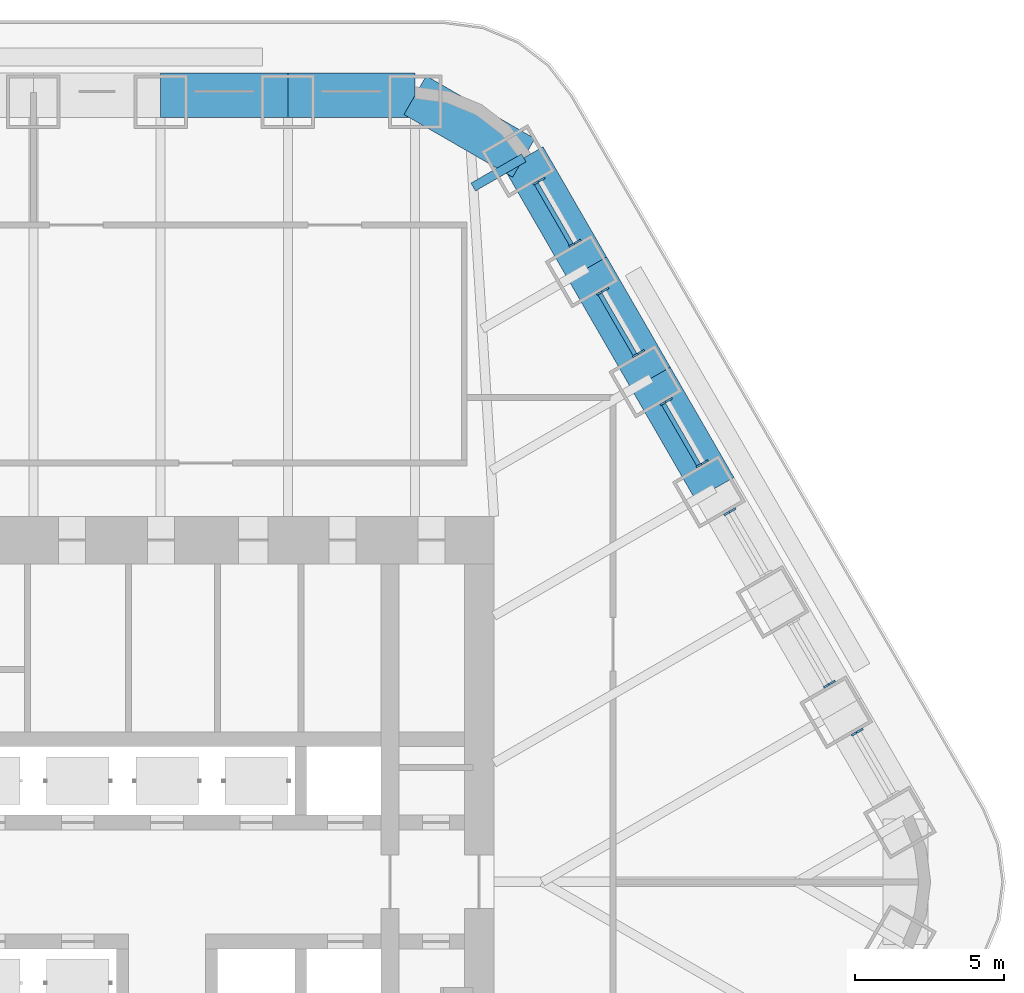
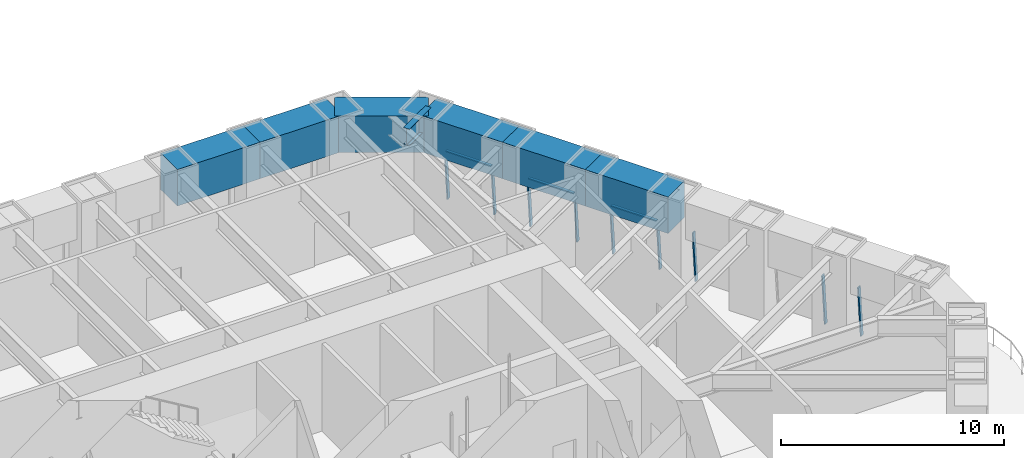
# One storey, part 5 of 14: 12 members, 7 beams, 6 elements without a shape of their own.
"""IFC4 building model written with IfcOpenShell, lengths in metres."""

from ifc_helpers import new_model, si_unit, direction, frame, origin, origin_2d, place, context, subcontext, project, spatial, rectangle, i_section, extrude, material, material_profile, profile_set, type_object, element, aggregate, save


model = new_model("IFC4")

# Units and contexts
model_context = context("Model", 3, precision=1e-05, world=origin(), true_north=direction((0.0, 1.0)))
body_context = subcontext(model_context, "Body", "Model", "MODEL_VIEW")
ifc_project = project(units=[si_unit("LENGTHUNIT", "METRE"), si_unit("AREAUNIT", "SQUARE_METRE"), si_unit("VOLUMEUNIT", "CUBIC_METRE"), si_unit("PLANEANGLEUNIT", "RADIAN"), si_unit("MASSUNIT", "GRAM", prefix="KILO")], contexts=[model_context])

# Site, building, storey
site_placement = place(None, origin())
site = spatial("IfcSite", under=ifc_project, at=site_placement, CompositionType="ELEMENT")
building_placement = place(site_placement, origin())
building = spatial("IfcBuilding", under=site, at=building_placement, Name="Tarfa Lantern Tower", CompositionType="ELEMENT")
storey_placement = place(building_placement, frame((0.0, 0.0, 306.5)))
storey = spatial("IfcBuildingStorey", under=building, at=storey_placement, Name="L69", CompositionType="ELEMENT", Elevation=306.5)

# Curtain wall, member
ifc_material_1 = material(Name="Aluminium framed curtain wall", Category="aluminium")
curtain_wall_type = type_object("IfcCurtainWallType", Name="CW5 CANTED GLAZING SKY LOBBY 2800", PredefinedType="USERDEFINED", material=ifc_material_1)
curtain_wall_1_placement = place(storey_placement, origin())
curtain_wall_1 = element("IfcCurtainWall", 1, at=curtain_wall_1_placement, inside=storey, type_object=curtain_wall_type, Name="CW5 NE L69", ObjectType="CURTAIN WALL", PredefinedType="USERDEFINED")
ifc_material_2 = material(Name="Aluminium mullion", Category="aluminium")
ifc_material_profile_1 = material_profile(ifc_material_2, rectangle(XDim=0.06494140625, YDim=0.199951171875, at=origin_2d()), Name="AL MULLION 65x200")
ifc_profile_set_1 = profile_set([ifc_material_profile_1], Name="Aluminium mullion")
member_type_1 = type_object("IfcMemberType", Name="CWM1 MULLION 65x200", PredefinedType="MULLION", material=ifc_profile_set_1)
member_1_placement = place(storey_placement, frame((27.827880859375, 5.100830078125, 0.0), z_axis=(-0.077032386753, -0.044465143199, 0.996036576854), x_axis=(0.499919672301, -0.866071776036, 0.0)))
member_1 = element("IfcMember", 2, at=member_1_placement, type_object=member_type_1, Name="CW5 mullion 2", PredefinedType="MULLION", context=body_context, shape_type="SweptSolid", body=[
    extrude(rectangle(XDim=0.06494140625, YDim=0.199951171875, at=origin_2d()), origin(), (0.0, 0.0, 1.0), 2.811279296875),
])
aggregate(curtain_wall_1, [member_1])

curtain_wall_2_placement = place(storey_placement, origin())
curtain_wall_2 = element("IfcCurtainWall", 3, at=curtain_wall_2_placement, inside=storey, type_object=curtain_wall_type, Name="CW5 NE L69", ObjectType="CURTAIN WALL", PredefinedType="USERDEFINED")
member_2_placement = place(storey_placement, frame((26.895263671875, 6.7158203125, 0.0), z_axis=(-0.076946055247, -0.044465440504, 0.996043236603), x_axis=(0.500342721131, -0.865827443207, 0.0)))
member_2 = element("IfcMember", 4, at=member_2_placement, type_object=member_type_1, Name="CW5 mullion 1", PredefinedType="MULLION", context=body_context, shape_type="SweptSolid", body=[
    extrude(rectangle(XDim=0.06494140625, YDim=0.199951171875, at=origin_2d()), origin(), (0.0, 0.0, 1.0), 2.811279296875),
])
aggregate(curtain_wall_2, [member_2])

curtain_wall_3_placement = place(storey_placement, origin())
curtain_wall_3 = element("IfcCurtainWall", 5, at=curtain_wall_3_placement, inside=storey, type_object=curtain_wall_type, Name="CW5 NE L69", ObjectType="CURTAIN WALL", PredefinedType="USERDEFINED")
member_3_placement = place(storey_placement, frame((23.5458984375, 12.517333984375, 0.0), z_axis=(-0.077032386753, -0.044465143199, 0.996036576854), x_axis=(0.499919672301, -0.866071776036, 0.0)))
member_3 = element("IfcMember", 6, at=member_3_placement, type_object=member_type_1, Name="CW5 mullion 2", PredefinedType="MULLION", context=body_context, shape_type="SweptSolid", body=[
    extrude(rectangle(XDim=0.06494140625, YDim=0.199951171875, at=origin_2d()), origin(), (0.0, 0.0, 1.0), 2.811279296875),
])
aggregate(curtain_wall_3, [member_3])

# Curtain wall, members
curtain_wall_4_placement = place(storey_placement, origin())
curtain_wall_4 = element("IfcCurtainWall", 7, at=curtain_wall_4_placement, inside=storey, type_object=curtain_wall_type, Name="CW5 NE L69", ObjectType="CURTAIN WALL", PredefinedType="USERDEFINED")
member_4_placement = place(storey_placement, frame((22.61328125, 14.132568359375, 0.0), z_axis=(-0.077032386753, -0.044465143199, 0.996036576854), x_axis=(0.499919672301, -0.866071776036, 0.0)))
member_4 = element("IfcMember", 8, at=member_4_placement, type_object=member_type_1, Name="CW5 mullion 1", PredefinedType="MULLION", context=body_context, shape_type="SweptSolid", body=[
    extrude(rectangle(XDim=0.06494140625, YDim=0.199951171875, at=origin_2d()), origin(), (0.0, 0.0, 1.0), 2.811279296875),
])
member_5_placement = place(storey_placement, frame((21.40478515625, 16.225830078125, 0.0), z_axis=(-0.077032386753, -0.044465143199, 0.996036576854), x_axis=(0.499919672301, -0.866071776036, 0.0)))
member_5 = element("IfcMember", 9, at=member_5_placement, type_object=member_type_1, Name="CW5 mullion 2", PredefinedType="MULLION", context=body_context, shape_type="SweptSolid", body=[
    extrude(rectangle(XDim=0.06494140625, YDim=0.199951171875, at=origin_2d()), origin(), (0.0, 0.0, 1.0), 2.811279296875),
])

curtain_wall_5_placement = place(storey_placement, origin())
curtain_wall_5 = element("IfcCurtainWall", 10, at=curtain_wall_5_placement, inside=storey, type_object=curtain_wall_type, Name="CW5 NE L69", ObjectType="CURTAIN WALL", PredefinedType="USERDEFINED")
member_6_placement = place(storey_placement, frame((20.472412109375, 17.8408203125, 0.0), z_axis=(-0.077032386753, -0.044465143199, 0.996036576854), x_axis=(0.499919672301, -0.866071776036, 0.0)))
member_6 = element("IfcMember", 11, at=member_6_placement, type_object=member_type_1, Name="CW5 mullion 1", PredefinedType="MULLION", context=body_context, shape_type="SweptSolid", body=[
    extrude(rectangle(XDim=0.06494140625, YDim=0.199951171875, at=origin_2d()), origin(), (0.0, 0.0, 1.0), 2.811279296875),
])
member_7_placement = place(storey_placement, frame((19.263916015625, 19.93408203125, 0.0), z_axis=(-0.077032386753, -0.044465143199, 0.996036576854), x_axis=(0.499919672301, -0.866071776036, 0.0)))
member_7 = element("IfcMember", 12, at=member_7_placement, type_object=member_type_1, Name="CW5 mullion 2", PredefinedType="MULLION", context=body_context, shape_type="SweptSolid", body=[
    extrude(rectangle(XDim=0.06494140625, YDim=0.199951171875, at=origin_2d()), origin(), (0.0, 0.0, 1.0), 2.811279296875),
])

curtain_wall_6_placement = place(storey_placement, origin())
curtain_wall_6 = element("IfcCurtainWall", 13, at=curtain_wall_6_placement, inside=storey, type_object=curtain_wall_type, Name="CW5 NE L69", ObjectType="CURTAIN WALL", PredefinedType="USERDEFINED")
member_8_placement = place(storey_placement, frame((18.331298828125, 21.54931640625, 0.0), z_axis=(-0.077032386753, -0.044465143199, 0.996036576854), x_axis=(0.499919672301, -0.866071776036, 0.0)))
member_8 = element("IfcMember", 14, at=member_8_placement, type_object=member_type_1, Name="CW5 mullion 1", PredefinedType="MULLION", context=body_context, shape_type="SweptSolid", body=[
    extrude(rectangle(XDim=0.06494140625, YDim=0.199951171875, at=origin_2d()), origin(), (0.0, 0.0, 1.0), 2.811279296875),
])
member_9_placement = place(storey_placement, frame((17.122802734375, 23.642333984375, 0.0), z_axis=(-0.077032386753, -0.044465143199, 0.996036576854), x_axis=(0.499919672301, -0.866071776036, 0.0)))
member_9 = element("IfcMember", 15, at=member_9_placement, type_object=member_type_1, Name="CW5 mullion 2", PredefinedType="MULLION", context=body_context, shape_type="SweptSolid", body=[
    extrude(rectangle(XDim=0.06494140625, YDim=0.199951171875, at=origin_2d()), origin(), (0.0, 0.0, 1.0), 2.811279296875),
])

# Member
ifc_material_3 = material(Name="Aluminium transom", Category="aluminium")
ifc_material_profile_2 = material_profile(ifc_material_3, rectangle(XDim=0.14990234375, YDim=0.06494140625, at=origin_2d()), Name="AL TRANSOM 150x65")
ifc_profile_set_2 = profile_set([ifc_material_profile_2], Name="Aluminium transom")
member_type_2 = type_object("IfcMemberType", Name="CWT1 TRANSOM 150x65", PredefinedType="USERDEFINED", material=ifc_profile_set_2)
member_10_placement = place(storey_placement, frame((22.383056640625, 14.037109375, 2.767578125), z_axis=(-0.500012978079, 0.866017910757, 0.0), x_axis=(-0.866017910757, -0.500012978079, 0.0)))
member_10 = element("IfcMember", 16, at=member_10_placement, type_object=member_type_2, Name="CW5 transom 1.2", ObjectType="TRANSOM", PredefinedType="USERDEFINED", context=body_context, shape_type="SweptSolid", body=[
    extrude(rectangle(XDim=0.14990234375, YDim=0.06494140625, at=origin_2d()), origin(), (0.0, 0.0, 1.0), 2.35205078125),
])

aggregate(curtain_wall_4, [member_4, member_5, member_10])

member_11_placement = place(storey_placement, frame((20.2421875, 17.74560546875, 2.767578125), z_axis=(-0.500012978079, 0.866017910757, 0.0), x_axis=(-0.866017910757, -0.500012978079, 0.0)))
member_11 = element("IfcMember", 17, at=member_11_placement, type_object=member_type_2, Name="CW5 transom 1.2", ObjectType="TRANSOM", PredefinedType="USERDEFINED", context=body_context, shape_type="SweptSolid", body=[
    extrude(rectangle(XDim=0.14990234375, YDim=0.06494140625, at=origin_2d()), origin(), (0.0, 0.0, 1.0), 2.35205078125),
])

aggregate(curtain_wall_5, [member_6, member_7, member_11])

member_12_placement = place(storey_placement, frame((18.10107421875, 21.453857421875, 2.767578125), z_axis=(-0.500012978079, 0.866017910757, 0.0), x_axis=(-0.866017910757, -0.500012978079, 0.0)))
member_12 = element("IfcMember", 18, at=member_12_placement, type_object=member_type_2, Name="CW5 transom 1.2", ObjectType="TRANSOM", PredefinedType="USERDEFINED", context=body_context, shape_type="SweptSolid", body=[
    extrude(rectangle(XDim=0.14990234375, YDim=0.06494140625, at=origin_2d()), origin(), (0.0, 0.0, 1.0), 2.35205078125),
])

aggregate(curtain_wall_6, [member_8, member_9, member_12])

# Beams
ifc_material_4 = material(Name="Concrete C80/95", Category="concrete")
ifc_material_profile_3 = material_profile(ifc_material_4, rectangle(XDim=1.5, YDim=2.0, at=origin_2d()), Name="RC 1500x2000")
ifc_profile_set_3 = profile_set([ifc_material_profile_3], Name="Concrete C80/95")
beam_type_1 = type_object("IfcBeamType", Name="RB3 RC 1500x2000", PredefinedType="BEAM", material=ifc_profile_set_3)
for number, where, z_axis, x_axis, name in (
    (19, (22.923583984375, 13.235107421875, 3.800048828125), (-0.499984039138, 0.866034618596, 0.0), (-0.866034618596, -0.499984039138, 0.0), "Edge beam NE3"),
    (20, (20.78271484375, 16.943359375, 3.800048828125), (-0.500026801138, 0.866009929587, 0.0), (-0.866009929587, -0.500026801138, 0.0), "Edge beam NE4"),
    (21, (18.6416015625, 20.651611328125, 3.800048828125), (-0.499959351497, 0.866048870937, 0.0), (-0.866048870937, -0.499959351497, 0.0), "Edge beam NE5"),
):
    element("IfcBeam", number, at=place(storey_placement, frame(where, z_axis=z_axis, x_axis=x_axis)), inside=storey, type_object=beam_type_1, Name=name, PredefinedType="BEAM", context=body_context, shape_type="SweptSolid", body=[
        extrude(rectangle(XDim=1.5, YDim=2.0, at=origin_2d()), origin(), (0.0, 0.0, 1.0), 4.281982421875),
    ])
beam_1_placement = place(storey_placement, frame((16.500732421875, 24.360107421875, 3.800048828125), z_axis=(-0.866048788483, 0.499959494327, 0.0), x_axis=(-0.499959494327, -0.866048788483, 0.0)))
element("IfcBeam", 22, at=beam_1_placement, inside=storey, type_object=beam_type_1, Name="Edge beam NE6", PredefinedType="BEAM", context=body_context, shape_type="SweptSolid", body=[
    extrude(rectangle(XDim=1.5, YDim=2.0, at=origin_2d()), origin(), (0.0, 0.0, 1.0), 4.219970703125),
])
for number, where, z_axis, x_axis, name in (
    (23, (12.845947265625, 26.469970703125, 3.800048828125), (-1.0, 0.0, 0.0), (0.0, -1.0, 0.0), "Edge beam N0"),
    (24, (8.56396484375, 26.469970703125, 3.800048828125), (-1.0, 0.0, 0.0), (0.0, -1.0, 0.0), "Edge beam N1"),
):
    element("IfcBeam", number, at=place(storey_placement, frame(where, z_axis=z_axis, x_axis=x_axis)), inside=storey, type_object=beam_type_1, Name=name, PredefinedType="BEAM", context=body_context, shape_type="SweptSolid", body=[
        extrude(rectangle(XDim=1.5, YDim=2.0, at=origin_2d()), origin(), (0.0, 0.0, 1.0), 4.281982421875),
    ])
ifc_material_5 = material(Name="Steel S460M", Category="steel")
ifc_material_profile_4 = material_profile(ifc_material_5, i_section(OverallWidth=0.305419921875, OverallDepth=0.91845703125, WebThickness=0.017333984375, FlangeThickness=0.02783203125, FilletRadius=0.01904296875, at=origin_2d()), Name="UB914x305x253")
ifc_profile_set_4 = profile_set([ifc_material_profile_4], Name="Steel S460M")
beam_type_2 = type_object("IfcBeamType", Name="UB914x305x253", PredefinedType="BEAM", material=ifc_profile_set_4)
beam_2_placement = place(storey_placement, frame((16.500732421875, 24.360107421875, 4.3408203125), z_axis=(-0.866013576751, -0.500020484464, 0.0), x_axis=(0.500020484464, -0.866013576751, 0.0)))
element("IfcBeam", 25, at=beam_2_placement, inside=storey, type_object=beam_type_2, Name="Floor beam NE6", PredefinedType="BEAM", context=body_context, shape_type="SweptSolid", body=[
    extrude(i_section(OverallWidth=0.305419921875, OverallDepth=0.91845703125, WebThickness=0.017333984375, FlangeThickness=0.02783203125, FilletRadius=0.01904296875, at=origin_2d()), origin(), (0.0, 0.0, 1.0), 1.9619140625),
])

save(model, "model.ifc")
